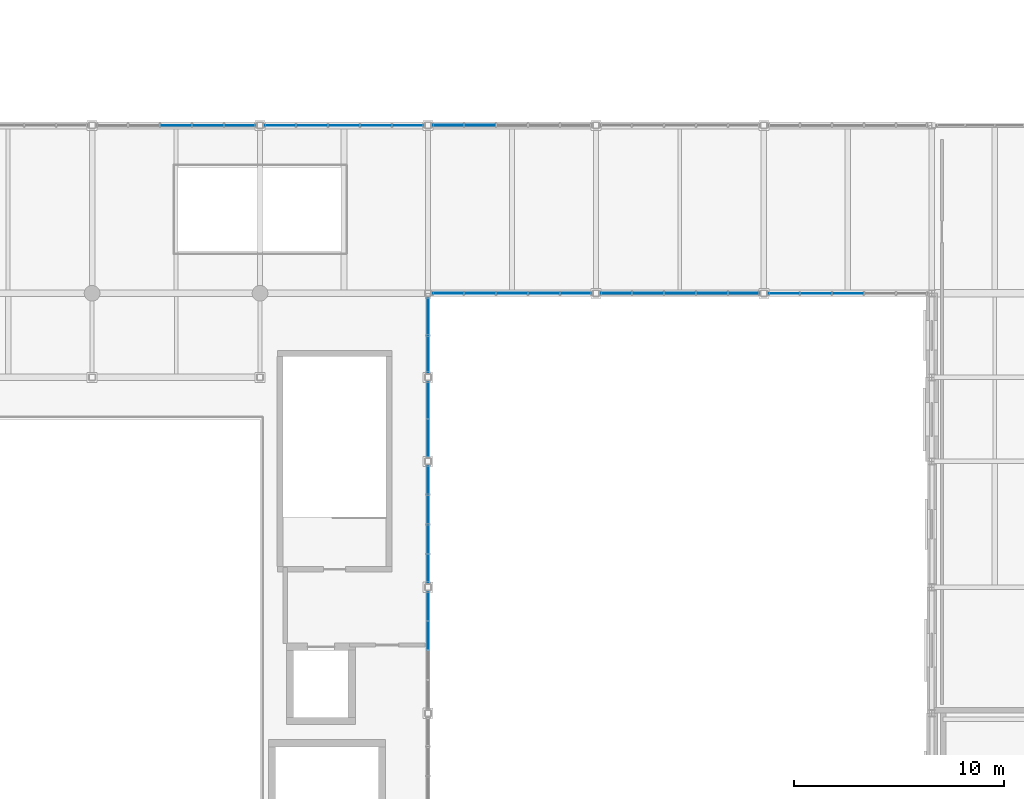
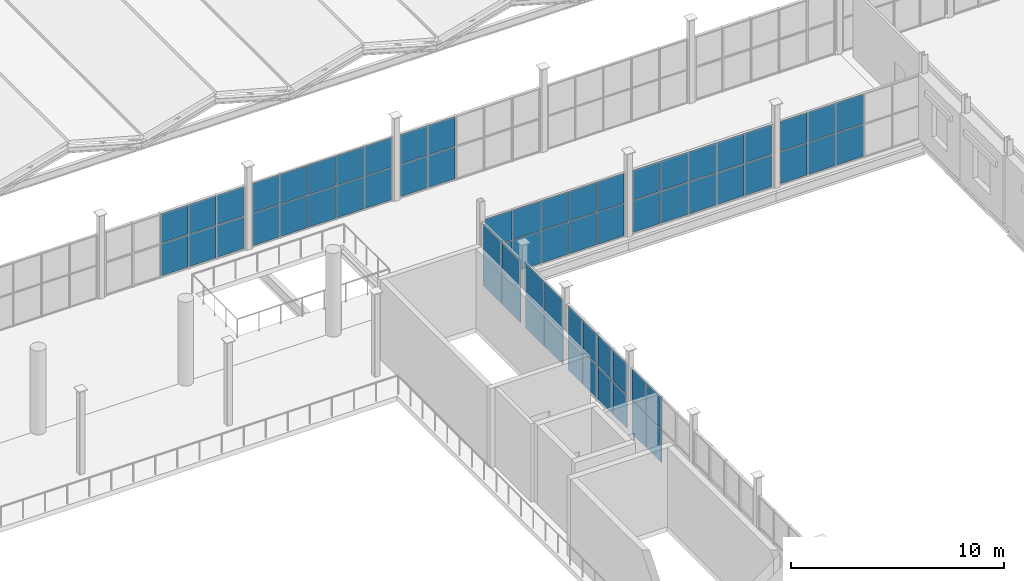
# One storey, part 85 of 114: 66 plates, 10 elements without a shape of their own.
"""IFC4 building model written with IfcOpenShell, lengths in metres."""

from ifc_helpers import new_model, si_unit, direction, frame, origin, origin_2d, place, context, subcontext, project, spatial, rectangle, extrude, material, layer, layer_set, type_object, element, aggregate, save


model = new_model("IFC4")

# Units and contexts
model_context = context("Model", 3, precision=1e-05, world=origin(), true_north=direction((0.0, 1.0)))
body_context = subcontext(model_context, "Body", "Model", "MODEL_VIEW")
ifc_project = project(units=[si_unit("LENGTHUNIT", "METRE"), si_unit("AREAUNIT", "SQUARE_METRE"), si_unit("VOLUMEUNIT", "CUBIC_METRE"), si_unit("PLANEANGLEUNIT", "RADIAN"), si_unit("MASSUNIT", "GRAM", prefix="KILO")], contexts=[model_context])

# Site, building, storey
site_placement = place(None, origin())
site = spatial("IfcSite", under=ifc_project, at=site_placement, CompositionType="ELEMENT")
building_placement = place(site_placement, origin())
building = spatial("IfcBuilding", under=site, at=building_placement, Name="Verrall Gate Interchange", CompositionType="ELEMENT")
storey_placement = place(building_placement, frame((0.0, 0.0, 6.60009765625)))
storey = spatial("IfcBuildingStorey", under=building, at=storey_placement, Name="L02", CompositionType="ELEMENT", Elevation=6.60009765625)

# Curtain wall, plates
ifc_material_1 = material(Name="Thermally Broken Anodized Aluminium Curtain Wall Framing", Category="aluminium")
curtain_wall_type_1 = type_object("IfcCurtainWallType", Name="CW-19 Unitized Curtain Wall 3631x3830", PredefinedType="NOTDEFINED", material=ifc_material_1)
curtain_wall_1_placement = place(storey_placement, origin())
curtain_wall_1 = element("IfcCurtainWall", 1, at=curtain_wall_1_placement, inside=storey, type_object=curtain_wall_type_1, Name="L02 Unitized Curtain Wall CW-L02-068", PredefinedType="NOTDEFINED")
ifc_material_2 = material(Name="Triple-Glazed Low-E Argon Insulated Curtain Panel (U=1.45)", Category="glass")
ifc_layer_1 = layer(ifc_material_2, 0.030029296875)
ifc_layer_set_1 = layer_set([ifc_layer_1], Name="Triple-Glazed Low-E Argon Insulated Curtain Panel (U=1.45)")
plate_type_1 = type_object("IfcPlateType", Name="CP-01 Curtain Glazing Panel 30", PredefinedType="CURTAIN_PANEL", material=ifc_layer_set_1)
plate_1_placement = place(storey_placement, frame((108.0, 41.1083984375, 0.0546875), z_axis=(0.0, 0.0, 1.0), x_axis=(0.0, 1.0, 0.0)))
plate_1 = element("IfcPlate", 2, at=plate_1_placement, type_object=plate_type_1, Name="CW-L02-068 Glazing Panel 1.1", PredefinedType="CURTAIN_PANEL", context=body_context, shape_type="SweptSolid", body=[
    extrude(rectangle(XDim=1.73876953125, YDim=0.030029296875, at=origin_2d()), origin(), (0.0, 0.0, 1.0), 1.914794921875),
])
plate_2_placement = place(storey_placement, frame((108.0, 41.1083984375, 2.013671875), z_axis=(0.0, 0.0, 1.0), x_axis=(0.0, 1.0, 0.0)))
plate_2 = element("IfcPlate", 3, at=plate_2_placement, type_object=plate_type_1, Name="CW-L02-068 Glazing Panel 1.2", PredefinedType="CURTAIN_PANEL", context=body_context, shape_type="SweptSolid", body=[
    extrude(rectangle(XDim=1.73876953125, YDim=0.030029296875, at=origin_2d()), origin(), (0.0, 0.0, 1.0), 1.76171875),
])
plate_3_placement = place(storey_placement, frame((108.0, 42.8916015625, 0.0546875), z_axis=(0.0, 0.0, 1.0), x_axis=(0.0, 1.0, 0.0)))
plate_3 = element("IfcPlate", 4, at=plate_3_placement, type_object=plate_type_1, Name="CW-L02-068 Glazing Panel 2.1", PredefinedType="CURTAIN_PANEL", context=body_context, shape_type="SweptSolid", body=[
    extrude(rectangle(XDim=1.73876953125, YDim=0.030029296875, at=origin_2d()), origin(), (0.0, 0.0, 1.0), 1.914794921875),
])
plate_4_placement = place(storey_placement, frame((108.0, 42.8916015625, 2.013671875), z_axis=(0.0, 0.0, 1.0), x_axis=(0.0, 1.0, 0.0)))
plate_4 = element("IfcPlate", 5, at=plate_4_placement, type_object=plate_type_1, Name="CW-L02-068 Glazing Panel 2.2", PredefinedType="CURTAIN_PANEL", context=body_context, shape_type="SweptSolid", body=[
    extrude(rectangle(XDim=1.73876953125, YDim=0.030029296875, at=origin_2d()), origin(), (0.0, 0.0, 1.0), 1.76171875),
])
aggregate(curtain_wall_1, [plate_1, plate_2, plate_3, plate_4])

ifc_material_3 = material(Name="Thermally Broken Anodized Aluminium Curtain Wall Framing", Category="aluminium")
curtain_wall_type_2 = type_object("IfcCurtainWallType", Name="CW-20 Unitized Curtain Wall 3631x3680", PredefinedType="NOTDEFINED", material=ifc_material_3)
curtain_wall_2_placement = place(storey_placement, origin())
curtain_wall_2 = element("IfcCurtainWall", 6, at=curtain_wall_2_placement, inside=storey, type_object=curtain_wall_type_2, Name="L02 Unitized Curtain Wall CW-L02-069", PredefinedType="NOTDEFINED")
plate_5_placement = place(storey_placement, frame((108.0, 45.111083984375, 0.062744140625), z_axis=(0.0, 0.0, 1.0), x_axis=(0.0, 1.0, 0.0)))
plate_5 = element("IfcPlate", 7, at=plate_5_placement, type_object=plate_type_1, Name="CW-L02-069 Glazing Panel 1.1", PredefinedType="CURTAIN_PANEL", context=body_context, shape_type="SweptSolid", body=[
    extrude(rectangle(XDim=1.72705078125, YDim=0.030029296875, at=origin_2d()), origin(), (0.0, 0.0, 1.0), 1.8251953125),
])
plate_6_placement = place(storey_placement, frame((108.0, 45.111083984375, 1.93896484375), z_axis=(0.0, 0.0, 1.0), x_axis=(0.0, 1.0, 0.0)))
plate_6 = element("IfcPlate", 8, at=plate_6_placement, type_object=plate_type_1, Name="CW-L02-069 Glazing Panel 1.2", PredefinedType="CURTAIN_PANEL", context=body_context, shape_type="SweptSolid", body=[
    extrude(rectangle(XDim=1.72705078125, YDim=0.030029296875, at=origin_2d()), origin(), (0.0, 0.0, 1.0), 1.677978515625),
])
plate_7_placement = place(storey_placement, frame((108.0, 46.888916015625, 0.062744140625), z_axis=(0.0, 0.0, 1.0), x_axis=(0.0, 1.0, 0.0)))
plate_7 = element("IfcPlate", 9, at=plate_7_placement, type_object=plate_type_1, Name="CW-L02-069 Glazing Panel 2.1", PredefinedType="CURTAIN_PANEL", context=body_context, shape_type="SweptSolid", body=[
    extrude(rectangle(XDim=1.72705078125, YDim=0.030029296875, at=origin_2d()), origin(), (0.0, 0.0, 1.0), 1.8251953125),
])
plate_8_placement = place(storey_placement, frame((108.0, 46.888916015625, 1.93896484375), z_axis=(0.0, 0.0, 1.0), x_axis=(0.0, 1.0, 0.0)))
plate_8 = element("IfcPlate", 10, at=plate_8_placement, type_object=plate_type_1, Name="CW-L02-069 Glazing Panel 2.2", PredefinedType="CURTAIN_PANEL", context=body_context, shape_type="SweptSolid", body=[
    extrude(rectangle(XDim=1.72705078125, YDim=0.030029296875, at=origin_2d()), origin(), (0.0, 0.0, 1.0), 1.677978515625),
])
aggregate(curtain_wall_2, [plate_5, plate_6, plate_7, plate_8])

ifc_material_4 = material(Name="Thermally Broken Anodized Aluminium Curtain Wall Framing", Category="aluminium")
curtain_wall_type_3 = type_object("IfcCurtainWallType", Name="CW-21 Unitized Curtain Wall 7631x3680", PredefinedType="NOTDEFINED", material=ifc_material_4)
curtain_wall_3_placement = place(storey_placement, origin())
curtain_wall_3 = element("IfcCurtainWall", 11, at=curtain_wall_3_placement, inside=storey, type_object=curtain_wall_type_3, Name="L02 Unitized Curtain Wall CW-L02-072", PredefinedType="NOTDEFINED")
plate_9_placement = place(storey_placement, frame((124.9638671875, 48.0, 0.054443359375), z_axis=(0.0, 0.0, 1.0), x_axis=(1.0, 0.0, 0.0)))
plate_9 = element("IfcPlate", 12, at=plate_9_placement, type_object=plate_type_1, Name="CW-L02-072 Glazing Panel 1.1", PredefinedType="CURTAIN_PANEL", context=body_context, shape_type="SweptSolid", body=[
    extrude(rectangle(XDim=1.44921875, YDim=0.030029296875, at=origin_2d()), origin(), (0.0, 0.0, 1.0), 1.8369140625),
])
plate_10_placement = place(storey_placement, frame((124.9638671875, 48.0, 1.935546875), z_axis=(0.0, 0.0, 1.0), x_axis=(1.0, 0.0, 0.0)))
plate_10 = element("IfcPlate", 13, at=plate_10_placement, type_object=plate_type_1, Name="CW-L02-072 Glazing Panel 1.2", PredefinedType="CURTAIN_PANEL", context=body_context, shape_type="SweptSolid", body=[
    extrude(rectangle(XDim=1.44921875, YDim=0.030029296875, at=origin_2d()), origin(), (0.0, 0.0, 1.0), 1.689697265625),
])
plate_11_placement = place(storey_placement, frame((126.473388671875, 48.0, 0.054443359375), z_axis=(0.0, 0.0, 1.0), x_axis=(1.0, 0.0, 0.0)))
plate_11 = element("IfcPlate", 14, at=plate_11_placement, type_object=plate_type_1, Name="CW-L02-072 Glazing Panel 2.1", PredefinedType="CURTAIN_PANEL", context=body_context, shape_type="SweptSolid", body=[
    extrude(rectangle(XDim=1.481689453125, YDim=0.030029296875, at=origin_2d()), origin(), (0.0, 0.0, 1.0), 1.8369140625),
])
plate_12_placement = place(storey_placement, frame((126.473388671875, 48.0, 1.935546875), z_axis=(0.0, 0.0, 1.0), x_axis=(1.0, 0.0, 0.0)))
plate_12 = element("IfcPlate", 15, at=plate_12_placement, type_object=plate_type_1, Name="CW-L02-072 Glazing Panel 2.2", PredefinedType="CURTAIN_PANEL", context=body_context, shape_type="SweptSolid", body=[
    extrude(rectangle(XDim=1.481689453125, YDim=0.030029296875, at=origin_2d()), origin(), (0.0, 0.0, 1.0), 1.689697265625),
])
plate_13_placement = place(storey_placement, frame((127.99951171875, 48.0, 0.054443359375), z_axis=(0.0, 0.0, 1.0), x_axis=(1.0, 0.0, 0.0)))
plate_13 = element("IfcPlate", 16, at=plate_13_placement, type_object=plate_type_1, Name="CW-L02-072 Glazing Panel 3.1", PredefinedType="CURTAIN_PANEL", context=body_context, shape_type="SweptSolid", body=[
    extrude(rectangle(XDim=1.481689453125, YDim=0.030029296875, at=origin_2d()), origin(), (0.0, 0.0, 1.0), 1.8369140625),
])
plate_14_placement = place(storey_placement, frame((127.99951171875, 48.0, 1.935546875), z_axis=(0.0, 0.0, 1.0), x_axis=(1.0, 0.0, 0.0)))
plate_14 = element("IfcPlate", 17, at=plate_14_placement, type_object=plate_type_1, Name="CW-L02-072 Glazing Panel 3.2", PredefinedType="CURTAIN_PANEL", context=body_context, shape_type="SweptSolid", body=[
    extrude(rectangle(XDim=1.481689453125, YDim=0.030029296875, at=origin_2d()), origin(), (0.0, 0.0, 1.0), 1.689697265625),
])
aggregate(curtain_wall_3, [plate_9, plate_10, plate_11, plate_12, plate_13, plate_14])

curtain_wall_4_placement = place(storey_placement, origin())
curtain_wall_4 = element("IfcCurtainWall", 18, at=curtain_wall_4_placement, inside=storey, type_object=curtain_wall_type_3, Name="L02 Unitized Curtain Wall CW-L02-076", PredefinedType="NOTDEFINED")
plate_15_placement = place(storey_placement, frame((107.0361328125, 56.0, 0.054443359375), z_axis=(0.0, 0.0, 1.0), x_axis=(-1.0, 0.0, 0.0)))
plate_15 = element("IfcPlate", 19, at=plate_15_placement, type_object=plate_type_1, Name="CW-L02-076 Glazing Panel 1.1", PredefinedType="CURTAIN_PANEL", context=body_context, shape_type="SweptSolid", body=[
    extrude(rectangle(XDim=1.449462890625, YDim=0.030029296875, at=origin_2d()), origin(), (0.0, 0.0, 1.0), 1.8369140625),
])
plate_16_placement = place(storey_placement, frame((107.0361328125, 56.0, 1.935546875), z_axis=(0.0, 0.0, 1.0), x_axis=(-1.0, 0.0, 0.0)))
plate_16 = element("IfcPlate", 20, at=plate_16_placement, type_object=plate_type_1, Name="CW-L02-076 Glazing Panel 1.2", PredefinedType="CURTAIN_PANEL", context=body_context, shape_type="SweptSolid", body=[
    extrude(rectangle(XDim=1.449462890625, YDim=0.030029296875, at=origin_2d()), origin(), (0.0, 0.0, 1.0), 1.689697265625),
])
plate_17_placement = place(storey_placement, frame((105.526123046875, 56.0, 0.054443359375), z_axis=(0.0, 0.0, 1.0), x_axis=(-1.0, 0.0, 0.0)))
plate_17 = element("IfcPlate", 21, at=plate_17_placement, type_object=plate_type_1, Name="CW-L02-076 Glazing Panel 2.1", PredefinedType="CURTAIN_PANEL", context=body_context, shape_type="SweptSolid", body=[
    extrude(rectangle(XDim=1.48193359375, YDim=0.030029296875, at=origin_2d()), origin(), (0.0, 0.0, 1.0), 1.8369140625),
])
plate_18_placement = place(storey_placement, frame((105.526123046875, 56.0, 1.935546875), z_axis=(0.0, 0.0, 1.0), x_axis=(-1.0, 0.0, 0.0)))
plate_18 = element("IfcPlate", 22, at=plate_18_placement, type_object=plate_type_1, Name="CW-L02-076 Glazing Panel 2.2", PredefinedType="CURTAIN_PANEL", context=body_context, shape_type="SweptSolid", body=[
    extrude(rectangle(XDim=1.48193359375, YDim=0.030029296875, at=origin_2d()), origin(), (0.0, 0.0, 1.0), 1.689697265625),
])
plate_19_placement = place(storey_placement, frame((104.0, 56.0, 0.054443359375), z_axis=(0.0, 0.0, 1.0), x_axis=(-1.0, 0.0, 0.0)))
plate_19 = element("IfcPlate", 23, at=plate_19_placement, type_object=plate_type_1, Name="CW-L02-076 Glazing Panel 3.1", PredefinedType="CURTAIN_PANEL", context=body_context, shape_type="SweptSolid", body=[
    extrude(rectangle(XDim=1.48193359375, YDim=0.030029296875, at=origin_2d()), origin(), (0.0, 0.0, 1.0), 1.8369140625),
])
plate_20_placement = place(storey_placement, frame((104.0, 56.0, 1.935546875), z_axis=(0.0, 0.0, 1.0), x_axis=(-1.0, 0.0, 0.0)))
plate_20 = element("IfcPlate", 24, at=plate_20_placement, type_object=plate_type_1, Name="CW-L02-076 Glazing Panel 3.2", PredefinedType="CURTAIN_PANEL", context=body_context, shape_type="SweptSolid", body=[
    extrude(rectangle(XDim=1.48193359375, YDim=0.030029296875, at=origin_2d()), origin(), (0.0, 0.0, 1.0), 1.689697265625),
])
plate_21_placement = place(storey_placement, frame((102.473876953125, 56.0, 0.054443359375), z_axis=(0.0, 0.0, 1.0), x_axis=(-1.0, 0.0, 0.0)))
plate_21 = element("IfcPlate", 25, at=plate_21_placement, type_object=plate_type_1, Name="CW-L02-076 Glazing Panel 4.1", PredefinedType="CURTAIN_PANEL", context=body_context, shape_type="SweptSolid", body=[
    extrude(rectangle(XDim=1.48193359375, YDim=0.030029296875, at=origin_2d()), origin(), (0.0, 0.0, 1.0), 1.8369140625),
])
plate_22_placement = place(storey_placement, frame((102.473876953125, 56.0, 1.935546875), z_axis=(0.0, 0.0, 1.0), x_axis=(-1.0, 0.0, 0.0)))
plate_22 = element("IfcPlate", 26, at=plate_22_placement, type_object=plate_type_1, Name="CW-L02-076 Glazing Panel 4.2", PredefinedType="CURTAIN_PANEL", context=body_context, shape_type="SweptSolid", body=[
    extrude(rectangle(XDim=1.48193359375, YDim=0.030029296875, at=origin_2d()), origin(), (0.0, 0.0, 1.0), 1.689697265625),
])
plate_23_placement = place(storey_placement, frame((100.9638671875, 56.0, 0.054443359375), z_axis=(0.0, 0.0, 1.0), x_axis=(-1.0, 0.0, 0.0)))
plate_23 = element("IfcPlate", 27, at=plate_23_placement, type_object=plate_type_1, Name="CW-L02-076 Glazing Panel 5.1", PredefinedType="CURTAIN_PANEL", context=body_context, shape_type="SweptSolid", body=[
    extrude(rectangle(XDim=1.449462890625, YDim=0.030029296875, at=origin_2d()), origin(), (0.0, 0.0, 1.0), 1.8369140625),
])
plate_24_placement = place(storey_placement, frame((100.9638671875, 56.0, 1.935546875), z_axis=(0.0, 0.0, 1.0), x_axis=(-1.0, 0.0, 0.0)))
plate_24 = element("IfcPlate", 28, at=plate_24_placement, type_object=plate_type_1, Name="CW-L02-076 Glazing Panel 5.2", PredefinedType="CURTAIN_PANEL", context=body_context, shape_type="SweptSolid", body=[
    extrude(rectangle(XDim=1.449462890625, YDim=0.030029296875, at=origin_2d()), origin(), (0.0, 0.0, 1.0), 1.689697265625),
])
aggregate(curtain_wall_4, [plate_15, plate_16, plate_17, plate_18, plate_19, plate_20, plate_21, plate_22, plate_23, plate_24])

curtain_wall_5_placement = place(storey_placement, origin())
curtain_wall_5 = element("IfcCurtainWall", 29, at=curtain_wall_5_placement, inside=storey, type_object=curtain_wall_type_3, Name="L02 Unitized Curtain Wall CW-L02-077", PredefinedType="NOTDEFINED")
plate_25_placement = place(storey_placement, frame((99.03369140625, 56.0, 0.062744140625), z_axis=(0.0, 0.0, 1.0), x_axis=(-1.0, 0.0, 0.0)))
plate_25 = element("IfcPlate", 30, at=plate_25_placement, type_object=plate_type_1, Name="CW-L02-077 Glazing Panel 1.1", PredefinedType="CURTAIN_PANEL", context=body_context, shape_type="SweptSolid", body=[
    extrude(rectangle(XDim=1.437744140625, YDim=0.030029296875, at=origin_2d()), origin(), (0.0, 0.0, 1.0), 1.8251953125),
])
plate_26_placement = place(storey_placement, frame((99.03369140625, 56.0, 1.93896484375), z_axis=(0.0, 0.0, 1.0), x_axis=(-1.0, 0.0, 0.0)))
plate_26 = element("IfcPlate", 31, at=plate_26_placement, type_object=plate_type_1, Name="CW-L02-077 Glazing Panel 1.2", PredefinedType="CURTAIN_PANEL", context=body_context, shape_type="SweptSolid", body=[
    extrude(rectangle(XDim=1.437744140625, YDim=0.030029296875, at=origin_2d()), origin(), (0.0, 0.0, 1.0), 1.677978515625),
])
plate_27_placement = place(storey_placement, frame((97.526123046875, 56.0, 0.062744140625), z_axis=(0.0, 0.0, 1.0), x_axis=(-1.0, 0.0, 0.0)))
plate_27 = element("IfcPlate", 32, at=plate_27_placement, type_object=plate_type_1, Name="CW-L02-077 Glazing Panel 2.1", PredefinedType="CURTAIN_PANEL", context=body_context, shape_type="SweptSolid", body=[
    extrude(rectangle(XDim=1.47509765625, YDim=0.030029296875, at=origin_2d()), origin(), (0.0, 0.0, 1.0), 1.8251953125),
])
plate_28_placement = place(storey_placement, frame((97.526123046875, 56.0, 1.93896484375), z_axis=(0.0, 0.0, 1.0), x_axis=(-1.0, 0.0, 0.0)))
plate_28 = element("IfcPlate", 33, at=plate_28_placement, type_object=plate_type_1, Name="CW-L02-077 Glazing Panel 2.2", PredefinedType="CURTAIN_PANEL", context=body_context, shape_type="SweptSolid", body=[
    extrude(rectangle(XDim=1.47509765625, YDim=0.030029296875, at=origin_2d()), origin(), (0.0, 0.0, 1.0), 1.677978515625),
])
plate_29_placement = place(storey_placement, frame((96.0, 56.0, 0.062744140625), z_axis=(0.0, 0.0, 1.0), x_axis=(-1.0, 0.0, 0.0)))
plate_29 = element("IfcPlate", 34, at=plate_29_placement, type_object=plate_type_1, Name="CW-L02-077 Glazing Panel 3.1", PredefinedType="CURTAIN_PANEL", context=body_context, shape_type="SweptSolid", body=[
    extrude(rectangle(XDim=1.47509765625, YDim=0.030029296875, at=origin_2d()), origin(), (0.0, 0.0, 1.0), 1.8251953125),
])
plate_30_placement = place(storey_placement, frame((96.0, 56.0, 1.93896484375), z_axis=(0.0, 0.0, 1.0), x_axis=(-1.0, 0.0, 0.0)))
plate_30 = element("IfcPlate", 35, at=plate_30_placement, type_object=plate_type_1, Name="CW-L02-077 Glazing Panel 3.2", PredefinedType="CURTAIN_PANEL", context=body_context, shape_type="SweptSolid", body=[
    extrude(rectangle(XDim=1.47509765625, YDim=0.030029296875, at=origin_2d()), origin(), (0.0, 0.0, 1.0), 1.677978515625),
])
aggregate(curtain_wall_5, [plate_25, plate_26, plate_27, plate_28, plate_29, plate_30])

ifc_material_5 = material(Name="Thermally Broken Anodized Aluminium Curtain Wall Framing", Category="aluminium")
curtain_wall_type_4 = type_object("IfcCurtainWallType", Name="CW-18 Unitized Curtain Wall 5631x3760", PredefinedType="NOTDEFINED", material=ifc_material_5)
curtain_wall_6_placement = place(storey_placement, origin())
curtain_wall_6 = element("IfcCurtainWall", 36, at=curtain_wall_6_placement, inside=storey, type_object=curtain_wall_type_4, Name="L02 Unitized Curtain Wall CW-L02-066", PredefinedType="NOTDEFINED")
ifc_material_6 = material(Name="Triple-Glazed Low-E Argon Insulated Curtain Panel (U=1.45)", Category="glass")
ifc_layer_2 = layer(ifc_material_6, 0.0400390625)
ifc_layer_set_2 = layer_set([ifc_layer_2], Name="Triple-Glazed Low-E Argon Insulated Curtain Panel (U=1.45)")
plate_type_2 = type_object("IfcPlateType", Name="CP-02 Curtain Glazing Panel 40", PredefinedType="CURTAIN_PANEL", material=ifc_layer_set_2)
plate_31_placement = place(storey_placement, frame((108.0, 31.703857421875, 0.0546875), z_axis=(0.0, 0.0, 1.0), x_axis=(0.0, 1.0, 0.0)))
plate_31 = element("IfcPlate", 37, at=plate_31_placement, type_object=plate_type_2, Name="CW-L02-066 Glazing Panel 3.1", PredefinedType="CURTAIN_PANEL", context=body_context, shape_type="SweptSolid", body=[
    extrude(rectangle(XDim=1.363525390625, YDim=0.0400390625, at=origin_2d()), origin(), (0.0, 0.0, 1.0), 1.914794921875),
])
plate_32_placement = place(storey_placement, frame((108.0, 31.703857421875, 2.013671875), z_axis=(0.0, 0.0, 1.0), x_axis=(0.0, 1.0, 0.0)))
plate_32 = element("IfcPlate", 38, at=plate_32_placement, type_object=plate_type_2, Name="CW-L02-066 Glazing Panel 3.2", PredefinedType="CURTAIN_PANEL", context=body_context, shape_type="SweptSolid", body=[
    extrude(rectangle(XDim=1.363525390625, YDim=0.0400390625, at=origin_2d()), origin(), (0.0, 0.0, 1.0), 1.76171875),
])
plate_33_placement = place(storey_placement, frame((108.0, 33.095458984375, 0.0546875), z_axis=(0.0, 0.0, 1.0), x_axis=(0.0, 1.0, 0.0)))
plate_33 = element("IfcPlate", 39, at=plate_33_placement, type_object=plate_type_2, Name="CW-L02-066 Glazing Panel 4.1", PredefinedType="CURTAIN_PANEL", context=body_context, shape_type="SweptSolid", body=[
    extrude(rectangle(XDim=1.3310546875, YDim=0.0400390625, at=origin_2d()), origin(), (0.0, 0.0, 1.0), 1.914794921875),
])
plate_34_placement = place(storey_placement, frame((108.0, 33.095458984375, 2.013671875), z_axis=(0.0, 0.0, 1.0), x_axis=(0.0, 1.0, 0.0)))
plate_34 = element("IfcPlate", 40, at=plate_34_placement, type_object=plate_type_2, Name="CW-L02-066 Glazing Panel 4.2", PredefinedType="CURTAIN_PANEL", context=body_context, shape_type="SweptSolid", body=[
    extrude(rectangle(XDim=1.3310546875, YDim=0.0400390625, at=origin_2d()), origin(), (0.0, 0.0, 1.0), 1.76171875),
])
aggregate(curtain_wall_6, [plate_31, plate_32, plate_33, plate_34])

curtain_wall_7_placement = place(storey_placement, origin())
curtain_wall_7 = element("IfcCurtainWall", 41, at=curtain_wall_7_placement, inside=storey, type_object=curtain_wall_type_4, Name="L02 Unitized Curtain Wall CW-L02-067", PredefinedType="NOTDEFINED")
plate_35_placement = place(storey_placement, frame((108.0, 34.9072265625, 0.06298828125), z_axis=(0.0, 0.0, 1.0), x_axis=(0.0, 1.0, 0.0)))
plate_35 = element("IfcPlate", 42, at=plate_35_placement, type_object=plate_type_2, Name="CW-L02-067 Glazing Panel 1.1", PredefinedType="CURTAIN_PANEL", context=body_context, shape_type="SweptSolid", body=[
    extrude(rectangle(XDim=1.3193359375, YDim=0.0400390625, at=origin_2d()), origin(), (0.0, 0.0, 1.0), 1.903076171875),
])
plate_36_placement = place(storey_placement, frame((108.0, 34.9072265625, 2.016845703125), z_axis=(0.0, 0.0, 1.0), x_axis=(0.0, 1.0, 0.0)))
plate_36 = element("IfcPlate", 43, at=plate_36_placement, type_object=plate_type_2, Name="CW-L02-067 Glazing Panel 1.2", PredefinedType="CURTAIN_PANEL", context=body_context, shape_type="SweptSolid", body=[
    extrude(rectangle(XDim=1.3193359375, YDim=0.0400390625, at=origin_2d()), origin(), (0.0, 0.0, 1.0), 1.75),
])
plate_37_placement = place(storey_placement, frame((108.0, 36.296142578125, 0.06298828125), z_axis=(0.0, 0.0, 1.0), x_axis=(0.0, 1.0, 0.0)))
plate_37 = element("IfcPlate", 44, at=plate_37_placement, type_object=plate_type_2, Name="CW-L02-067 Glazing Panel 2.1", PredefinedType="CURTAIN_PANEL", context=body_context, shape_type="SweptSolid", body=[
    extrude(rectangle(XDim=1.356689453125, YDim=0.0400390625, at=origin_2d()), origin(), (0.0, 0.0, 1.0), 1.903076171875),
])
plate_38_placement = place(storey_placement, frame((108.0, 36.296142578125, 2.016845703125), z_axis=(0.0, 0.0, 1.0), x_axis=(0.0, 1.0, 0.0)))
plate_38 = element("IfcPlate", 45, at=plate_38_placement, type_object=plate_type_2, Name="CW-L02-067 Glazing Panel 2.2", PredefinedType="CURTAIN_PANEL", context=body_context, shape_type="SweptSolid", body=[
    extrude(rectangle(XDim=1.356689453125, YDim=0.0400390625, at=origin_2d()), origin(), (0.0, 0.0, 1.0), 1.75),
])
plate_39_placement = place(storey_placement, frame((108.0, 37.703857421875, 0.06298828125), z_axis=(0.0, 0.0, 1.0), x_axis=(0.0, 1.0, 0.0)))
plate_39 = element("IfcPlate", 46, at=plate_39_placement, type_object=plate_type_2, Name="CW-L02-067 Glazing Panel 3.1", PredefinedType="CURTAIN_PANEL", context=body_context, shape_type="SweptSolid", body=[
    extrude(rectangle(XDim=1.356689453125, YDim=0.0400390625, at=origin_2d()), origin(), (0.0, 0.0, 1.0), 1.903076171875),
])
plate_40_placement = place(storey_placement, frame((108.0, 37.703857421875, 2.016845703125), z_axis=(0.0, 0.0, 1.0), x_axis=(0.0, 1.0, 0.0)))
plate_40 = element("IfcPlate", 47, at=plate_40_placement, type_object=plate_type_2, Name="CW-L02-067 Glazing Panel 3.2", PredefinedType="CURTAIN_PANEL", context=body_context, shape_type="SweptSolid", body=[
    extrude(rectangle(XDim=1.356689453125, YDim=0.0400390625, at=origin_2d()), origin(), (0.0, 0.0, 1.0), 1.75),
])
plate_41_placement = place(storey_placement, frame((108.0, 39.093017578125, 0.06298828125), z_axis=(0.0, 0.0, 1.0), x_axis=(0.0, 1.0, 0.0)))
plate_41 = element("IfcPlate", 48, at=plate_41_placement, type_object=plate_type_2, Name="CW-L02-067 Glazing Panel 4.1", PredefinedType="CURTAIN_PANEL", context=body_context, shape_type="SweptSolid", body=[
    extrude(rectangle(XDim=1.319091796875, YDim=0.0400390625, at=origin_2d()), origin(), (0.0, 0.0, 1.0), 1.903076171875),
])
plate_42_placement = place(storey_placement, frame((108.0, 39.093017578125, 2.016845703125), z_axis=(0.0, 0.0, 1.0), x_axis=(0.0, 1.0, 0.0)))
plate_42 = element("IfcPlate", 49, at=plate_42_placement, type_object=plate_type_2, Name="CW-L02-067 Glazing Panel 4.2", PredefinedType="CURTAIN_PANEL", context=body_context, shape_type="SweptSolid", body=[
    extrude(rectangle(XDim=1.319091796875, YDim=0.0400390625, at=origin_2d()), origin(), (0.0, 0.0, 1.0), 1.75),
])
aggregate(curtain_wall_7, [plate_35, plate_36, plate_37, plate_38, plate_39, plate_40, plate_41, plate_42])

curtain_wall_8_placement = place(storey_placement, origin())
curtain_wall_8 = element("IfcCurtainWall", 50, at=curtain_wall_8_placement, inside=storey, type_object=curtain_wall_type_3, Name="L02 Unitized Curtain Wall CW-L02-070", PredefinedType="NOTDEFINED")
plate_43_placement = place(storey_placement, frame((108.9638671875, 48.0, 0.054443359375), z_axis=(0.0, 0.0, 1.0), x_axis=(1.0, 0.0, 0.0)))
plate_43 = element("IfcPlate", 51, at=plate_43_placement, type_object=plate_type_2, Name="CW-L02-070 Glazing Panel 1.1", PredefinedType="CURTAIN_PANEL", context=body_context, shape_type="SweptSolid", body=[
    extrude(rectangle(XDim=1.449462890625, YDim=0.0400390625, at=origin_2d()), origin(), (0.0, 0.0, 1.0), 1.8369140625),
])
plate_44_placement = place(storey_placement, frame((108.9638671875, 48.0, 1.935546875), z_axis=(0.0, 0.0, 1.0), x_axis=(1.0, 0.0, 0.0)))
plate_44 = element("IfcPlate", 52, at=plate_44_placement, type_object=plate_type_2, Name="CW-L02-070 Glazing Panel 1.2", PredefinedType="CURTAIN_PANEL", context=body_context, shape_type="SweptSolid", body=[
    extrude(rectangle(XDim=1.449462890625, YDim=0.0400390625, at=origin_2d()), origin(), (0.0, 0.0, 1.0), 1.689697265625),
])
plate_45_placement = place(storey_placement, frame((110.473876953125, 48.0, 0.054443359375), z_axis=(0.0, 0.0, 1.0), x_axis=(1.0, 0.0, 0.0)))
plate_45 = element("IfcPlate", 53, at=plate_45_placement, type_object=plate_type_2, Name="CW-L02-070 Glazing Panel 2.1", PredefinedType="CURTAIN_PANEL", context=body_context, shape_type="SweptSolid", body=[
    extrude(rectangle(XDim=1.48193359375, YDim=0.0400390625, at=origin_2d()), origin(), (0.0, 0.0, 1.0), 1.8369140625),
])
plate_46_placement = place(storey_placement, frame((110.473876953125, 48.0, 1.935546875), z_axis=(0.0, 0.0, 1.0), x_axis=(1.0, 0.0, 0.0)))
plate_46 = element("IfcPlate", 54, at=plate_46_placement, type_object=plate_type_2, Name="CW-L02-070 Glazing Panel 2.2", PredefinedType="CURTAIN_PANEL", context=body_context, shape_type="SweptSolid", body=[
    extrude(rectangle(XDim=1.48193359375, YDim=0.0400390625, at=origin_2d()), origin(), (0.0, 0.0, 1.0), 1.689697265625),
])
plate_47_placement = place(storey_placement, frame((112.0, 48.0, 0.054443359375), z_axis=(0.0, 0.0, 1.0), x_axis=(1.0, 0.0, 0.0)))
plate_47 = element("IfcPlate", 55, at=plate_47_placement, type_object=plate_type_2, Name="CW-L02-070 Glazing Panel 3.1", PredefinedType="CURTAIN_PANEL", context=body_context, shape_type="SweptSolid", body=[
    extrude(rectangle(XDim=1.48193359375, YDim=0.0400390625, at=origin_2d()), origin(), (0.0, 0.0, 1.0), 1.8369140625),
])
plate_48_placement = place(storey_placement, frame((112.0, 48.0, 1.935546875), z_axis=(0.0, 0.0, 1.0), x_axis=(1.0, 0.0, 0.0)))
plate_48 = element("IfcPlate", 56, at=plate_48_placement, type_object=plate_type_2, Name="CW-L02-070 Glazing Panel 3.2", PredefinedType="CURTAIN_PANEL", context=body_context, shape_type="SweptSolid", body=[
    extrude(rectangle(XDim=1.48193359375, YDim=0.0400390625, at=origin_2d()), origin(), (0.0, 0.0, 1.0), 1.689697265625),
])
plate_49_placement = place(storey_placement, frame((113.526123046875, 48.0, 0.054443359375), z_axis=(0.0, 0.0, 1.0), x_axis=(1.0, 0.0, 0.0)))
plate_49 = element("IfcPlate", 57, at=plate_49_placement, type_object=plate_type_2, Name="CW-L02-070 Glazing Panel 4.1", PredefinedType="CURTAIN_PANEL", context=body_context, shape_type="SweptSolid", body=[
    extrude(rectangle(XDim=1.48193359375, YDim=0.0400390625, at=origin_2d()), origin(), (0.0, 0.0, 1.0), 1.8369140625),
])
plate_50_placement = place(storey_placement, frame((113.526123046875, 48.0, 1.935546875), z_axis=(0.0, 0.0, 1.0), x_axis=(1.0, 0.0, 0.0)))
plate_50 = element("IfcPlate", 58, at=plate_50_placement, type_object=plate_type_2, Name="CW-L02-070 Glazing Panel 4.2", PredefinedType="CURTAIN_PANEL", context=body_context, shape_type="SweptSolid", body=[
    extrude(rectangle(XDim=1.48193359375, YDim=0.0400390625, at=origin_2d()), origin(), (0.0, 0.0, 1.0), 1.689697265625),
])
plate_51_placement = place(storey_placement, frame((115.0361328125, 48.0, 0.054443359375), z_axis=(0.0, 0.0, 1.0), x_axis=(1.0, 0.0, 0.0)))
plate_51 = element("IfcPlate", 59, at=plate_51_placement, type_object=plate_type_2, Name="CW-L02-070 Glazing Panel 5.1", PredefinedType="CURTAIN_PANEL", context=body_context, shape_type="SweptSolid", body=[
    extrude(rectangle(XDim=1.449462890625, YDim=0.0400390625, at=origin_2d()), origin(), (0.0, 0.0, 1.0), 1.8369140625),
])
plate_52_placement = place(storey_placement, frame((115.0361328125, 48.0, 1.935546875), z_axis=(0.0, 0.0, 1.0), x_axis=(1.0, 0.0, 0.0)))
plate_52 = element("IfcPlate", 60, at=plate_52_placement, type_object=plate_type_2, Name="CW-L02-070 Glazing Panel 5.2", PredefinedType="CURTAIN_PANEL", context=body_context, shape_type="SweptSolid", body=[
    extrude(rectangle(XDim=1.449462890625, YDim=0.0400390625, at=origin_2d()), origin(), (0.0, 0.0, 1.0), 1.689697265625),
])
aggregate(curtain_wall_8, [plate_43, plate_44, plate_45, plate_46, plate_47, plate_48, plate_49, plate_50, plate_51, plate_52])

curtain_wall_9_placement = place(storey_placement, origin())
curtain_wall_9 = element("IfcCurtainWall", 61, at=curtain_wall_9_placement, inside=storey, type_object=curtain_wall_type_3, Name="L02 Unitized Curtain Wall CW-L02-071", PredefinedType="NOTDEFINED")
plate_53_placement = place(storey_placement, frame((116.96630859375, 48.0, 0.062744140625), z_axis=(0.0, 0.0, 1.0), x_axis=(1.0, 0.0, 0.0)))
plate_53 = element("IfcPlate", 62, at=plate_53_placement, type_object=plate_type_2, Name="CW-L02-071 Glazing Panel 1.1", PredefinedType="CURTAIN_PANEL", context=body_context, shape_type="SweptSolid", body=[
    extrude(rectangle(XDim=1.437744140625, YDim=0.0400390625, at=origin_2d()), origin(), (0.0, 0.0, 1.0), 1.8251953125),
])
plate_54_placement = place(storey_placement, frame((116.96630859375, 48.0, 1.93896484375), z_axis=(0.0, 0.0, 1.0), x_axis=(1.0, 0.0, 0.0)))
plate_54 = element("IfcPlate", 63, at=plate_54_placement, type_object=plate_type_2, Name="CW-L02-071 Glazing Panel 1.2", PredefinedType="CURTAIN_PANEL", context=body_context, shape_type="SweptSolid", body=[
    extrude(rectangle(XDim=1.437744140625, YDim=0.0400390625, at=origin_2d()), origin(), (0.0, 0.0, 1.0), 1.677978515625),
])
plate_55_placement = place(storey_placement, frame((118.473876953125, 48.0, 0.062744140625), z_axis=(0.0, 0.0, 1.0), x_axis=(1.0, 0.0, 0.0)))
plate_55 = element("IfcPlate", 64, at=plate_55_placement, type_object=plate_type_2, Name="CW-L02-071 Glazing Panel 2.1", PredefinedType="CURTAIN_PANEL", context=body_context, shape_type="SweptSolid", body=[
    extrude(rectangle(XDim=1.47509765625, YDim=0.0400390625, at=origin_2d()), origin(), (0.0, 0.0, 1.0), 1.8251953125),
])
plate_56_placement = place(storey_placement, frame((118.473876953125, 48.0, 1.93896484375), z_axis=(0.0, 0.0, 1.0), x_axis=(1.0, 0.0, 0.0)))
plate_56 = element("IfcPlate", 65, at=plate_56_placement, type_object=plate_type_2, Name="CW-L02-071 Glazing Panel 2.2", PredefinedType="CURTAIN_PANEL", context=body_context, shape_type="SweptSolid", body=[
    extrude(rectangle(XDim=1.47509765625, YDim=0.0400390625, at=origin_2d()), origin(), (0.0, 0.0, 1.0), 1.677978515625),
])
plate_57_placement = place(storey_placement, frame((120.0, 48.0, 0.062744140625), z_axis=(0.0, 0.0, 1.0), x_axis=(1.0, 0.0, 0.0)))
plate_57 = element("IfcPlate", 66, at=plate_57_placement, type_object=plate_type_2, Name="CW-L02-071 Glazing Panel 3.1", PredefinedType="CURTAIN_PANEL", context=body_context, shape_type="SweptSolid", body=[
    extrude(rectangle(XDim=1.47509765625, YDim=0.0400390625, at=origin_2d()), origin(), (0.0, 0.0, 1.0), 1.8251953125),
])
plate_58_placement = place(storey_placement, frame((120.0, 48.0, 1.93896484375), z_axis=(0.0, 0.0, 1.0), x_axis=(1.0, 0.0, 0.0)))
plate_58 = element("IfcPlate", 67, at=plate_58_placement, type_object=plate_type_2, Name="CW-L02-071 Glazing Panel 3.2", PredefinedType="CURTAIN_PANEL", context=body_context, shape_type="SweptSolid", body=[
    extrude(rectangle(XDim=1.47509765625, YDim=0.0400390625, at=origin_2d()), origin(), (0.0, 0.0, 1.0), 1.677978515625),
])
plate_59_placement = place(storey_placement, frame((121.526123046875, 48.0, 0.062744140625), z_axis=(0.0, 0.0, 1.0), x_axis=(1.0, 0.0, 0.0)))
plate_59 = element("IfcPlate", 68, at=plate_59_placement, type_object=plate_type_2, Name="CW-L02-071 Glazing Panel 4.1", PredefinedType="CURTAIN_PANEL", context=body_context, shape_type="SweptSolid", body=[
    extrude(rectangle(XDim=1.47509765625, YDim=0.0400390625, at=origin_2d()), origin(), (0.0, 0.0, 1.0), 1.8251953125),
])
plate_60_placement = place(storey_placement, frame((121.526123046875, 48.0, 1.93896484375), z_axis=(0.0, 0.0, 1.0), x_axis=(1.0, 0.0, 0.0)))
plate_60 = element("IfcPlate", 69, at=plate_60_placement, type_object=plate_type_2, Name="CW-L02-071 Glazing Panel 4.2", PredefinedType="CURTAIN_PANEL", context=body_context, shape_type="SweptSolid", body=[
    extrude(rectangle(XDim=1.47509765625, YDim=0.0400390625, at=origin_2d()), origin(), (0.0, 0.0, 1.0), 1.677978515625),
])
plate_61_placement = place(storey_placement, frame((123.03369140625, 48.0, 0.062744140625), z_axis=(0.0, 0.0, 1.0), x_axis=(1.0, 0.0, 0.0)))
plate_61 = element("IfcPlate", 70, at=plate_61_placement, type_object=plate_type_2, Name="CW-L02-071 Glazing Panel 5.1", PredefinedType="CURTAIN_PANEL", context=body_context, shape_type="SweptSolid", body=[
    extrude(rectangle(XDim=1.437744140625, YDim=0.0400390625, at=origin_2d()), origin(), (0.0, 0.0, 1.0), 1.8251953125),
])
plate_62_placement = place(storey_placement, frame((123.03369140625, 48.0, 1.93896484375), z_axis=(0.0, 0.0, 1.0), x_axis=(1.0, 0.0, 0.0)))
plate_62 = element("IfcPlate", 71, at=plate_62_placement, type_object=plate_type_2, Name="CW-L02-071 Glazing Panel 5.2", PredefinedType="CURTAIN_PANEL", context=body_context, shape_type="SweptSolid", body=[
    extrude(rectangle(XDim=1.437744140625, YDim=0.0400390625, at=origin_2d()), origin(), (0.0, 0.0, 1.0), 1.677978515625),
])
aggregate(curtain_wall_9, [plate_53, plate_54, plate_55, plate_56, plate_57, plate_58, plate_59, plate_60, plate_61, plate_62])

curtain_wall_10_placement = place(storey_placement, origin())
curtain_wall_10 = element("IfcCurtainWall", 72, at=curtain_wall_10_placement, inside=storey, type_object=curtain_wall_type_3, Name="L02 Unitized Curtain Wall CW-L02-075", PredefinedType="NOTDEFINED")
plate_63_placement = place(storey_placement, frame((110.473876953125, 56.0, 0.062744140625), z_axis=(0.0, 0.0, 1.0), x_axis=(-1.0, 0.0, 0.0)))
plate_63 = element("IfcPlate", 73, at=plate_63_placement, type_object=plate_type_2, Name="CW-L02-075 Glazing Panel 4.1", PredefinedType="CURTAIN_PANEL", context=body_context, shape_type="SweptSolid", body=[
    extrude(rectangle(XDim=1.47509765625, YDim=0.0400390625, at=origin_2d()), origin(), (0.0, 0.0, 1.0), 1.8251953125),
])
plate_64_placement = place(storey_placement, frame((110.473876953125, 56.0, 1.93896484375), z_axis=(0.0, 0.0, 1.0), x_axis=(-1.0, 0.0, 0.0)))
plate_64 = element("IfcPlate", 74, at=plate_64_placement, type_object=plate_type_2, Name="CW-L02-075 Glazing Panel 4.2", PredefinedType="CURTAIN_PANEL", context=body_context, shape_type="SweptSolid", body=[
    extrude(rectangle(XDim=1.47509765625, YDim=0.0400390625, at=origin_2d()), origin(), (0.0, 0.0, 1.0), 1.677978515625),
])
plate_65_placement = place(storey_placement, frame((108.96630859375, 56.0, 0.062744140625), z_axis=(0.0, 0.0, 1.0), x_axis=(-1.0, 0.0, 0.0)))
plate_65 = element("IfcPlate", 75, at=plate_65_placement, type_object=plate_type_2, Name="CW-L02-075 Glazing Panel 5.1", PredefinedType="CURTAIN_PANEL", context=body_context, shape_type="SweptSolid", body=[
    extrude(rectangle(XDim=1.437744140625, YDim=0.0400390625, at=origin_2d()), origin(), (0.0, 0.0, 1.0), 1.8251953125),
])
plate_66_placement = place(storey_placement, frame((108.96630859375, 56.0, 1.93896484375), z_axis=(0.0, 0.0, 1.0), x_axis=(-1.0, 0.0, 0.0)))
plate_66 = element("IfcPlate", 76, at=plate_66_placement, type_object=plate_type_2, Name="CW-L02-075 Glazing Panel 5.2", PredefinedType="CURTAIN_PANEL", context=body_context, shape_type="SweptSolid", body=[
    extrude(rectangle(XDim=1.437744140625, YDim=0.0400390625, at=origin_2d()), origin(), (0.0, 0.0, 1.0), 1.677978515625),
])
aggregate(curtain_wall_10, [plate_63, plate_64, plate_65, plate_66])

save(model, "model.ifc")
